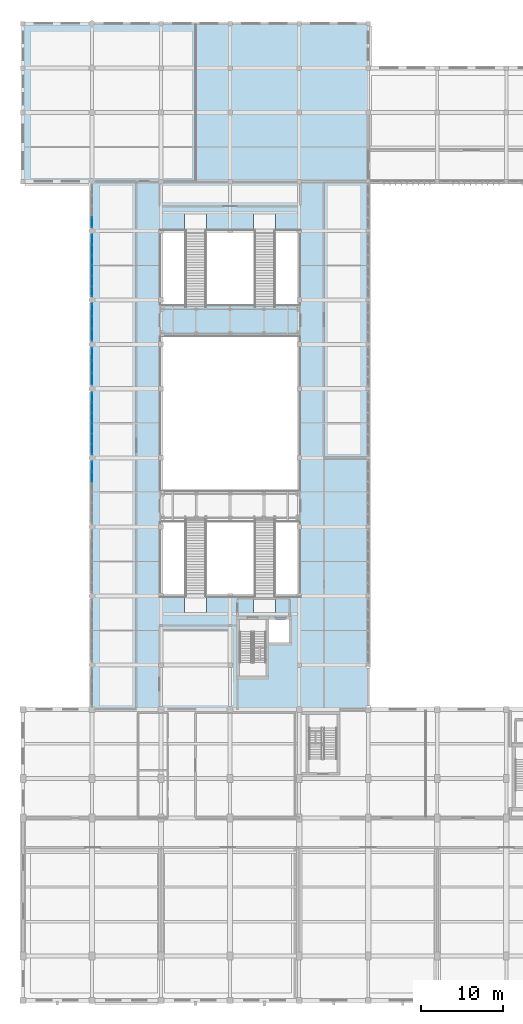
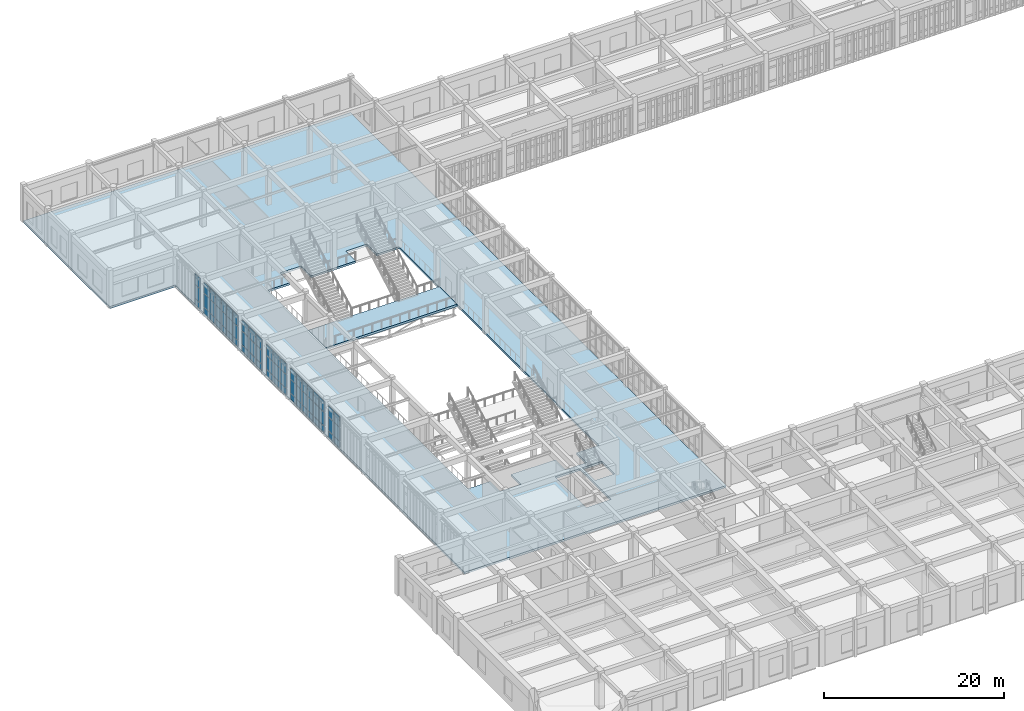
# One storey, part 71 of 106: 63 plates, 2 slabs, 6 elements without a shape of their own.
"""IFC4 building model written with IfcOpenShell, lengths in metres."""

from ifc_helpers import new_model, si_unit, direction, frame, origin, origin_2d, place, context, subcontext, project, spatial, polyline, rectangle, outline, extrude, material, layer, layer_set, type_object, element, aggregate, save


model = new_model("IFC4")

# Units and contexts
model_context = context("Model", 3, precision=1e-05, world=origin(), true_north=direction((0.0, 1.0)))
body_context = subcontext(model_context, "Body", "Model", "MODEL_VIEW")
ifc_project = project(units=[si_unit("LENGTHUNIT", "METRE"), si_unit("AREAUNIT", "SQUARE_METRE"), si_unit("VOLUMEUNIT", "CUBIC_METRE"), si_unit("PLANEANGLEUNIT", "RADIAN"), si_unit("MASSUNIT", "GRAM", prefix="KILO")], contexts=[model_context])

# Site, building, storey
site_placement = place(None, origin())
site = spatial("IfcSite", under=ifc_project, at=site_placement, CompositionType="ELEMENT")
building_placement = place(site_placement, origin())
building = spatial("IfcBuilding", under=site, at=building_placement, Name="Krzemoval Escarpment Law Courts", CompositionType="ELEMENT")
storey_placement = place(building_placement, frame((0.0, 0.0, 5.10009765625)))
storey = spatial("IfcBuildingStorey", under=building, at=storey_placement, Name="L01", CompositionType="ELEMENT", Elevation=5.10009765625)

# Curtain wall, plates
ifc_material_1 = material(Name="Aluminium 6063-T6", Category="aluminium")
ifc_layer_1 = layer(ifc_material_1, 0.280029296875)
ifc_layer_set_1 = layer_set([ifc_layer_1], Name="Aluminium 6063-T6")
curtain_wall_type = type_object("IfcCurtainWallType", Name="CW-HALL-5100", PredefinedType="USERDEFINED", material=ifc_layer_set_1)
curtain_wall_1_placement = place(storey_placement, origin())
curtain_wall_1 = element("IfcCurtainWall", 1, at=curtain_wall_1_placement, inside=storey, type_object=curtain_wall_type, Name="Unitised Curtain Wall FCW-L01-025", ObjectType="UNITISED_CURTAIN_WALL", PredefinedType="USERDEFINED")
ifc_material_2 = material(Name="Triple Glazing IGU", Category="glass")
ifc_layer_2 = layer(ifc_material_2, 0.053955078125)
ifc_layer_set_2 = layer_set([ifc_layer_2], Name="Triple Glazing IGU")
plate_type = type_object("IfcPlateType", Name="CWP-GLZ-54", PredefinedType="CURTAIN_PANEL", material=ifc_layer_set_2)
plate_1_placement = place(storey_placement, frame((8.39990234375, 63.71240234375, 0.0849609375), z_axis=(0.0, 0.0, 1.0), x_axis=(0.0, 1.0, 0.0)))
plate_1 = element("IfcPlate", 2, at=plate_1_placement, type_object=plate_type, Name="FCW-L01-025 panel 5.1", PredefinedType="CURTAIN_PANEL", context=body_context, shape_type="SweptSolid", body=[
    extrude(rectangle(XDim=1.18994140625, YDim=0.053955078125, at=origin_2d()), origin(), (0.0, 0.0, 1.0), 0.7724609375),
])
plate_2_placement = place(storey_placement, frame((8.39990234375, 63.71240234375, 0.9423828125), z_axis=(0.0, 0.0, 1.0), x_axis=(0.0, 1.0, 0.0)))
plate_2 = element("IfcPlate", 3, at=plate_2_placement, type_object=plate_type, Name="FCW-L01-025 panel 5.2", PredefinedType="CURTAIN_PANEL", context=body_context, shape_type="SweptSolid", body=[
    extrude(rectangle(XDim=1.18994140625, YDim=0.053955078125, at=origin_2d()), origin(), (0.0, 0.0, 1.0), 1.81494140625),
])
plate_3_placement = place(storey_placement, frame((8.39990234375, 63.71240234375, 2.842529296875), z_axis=(0.0, 0.0, 1.0), x_axis=(0.0, 1.0, 0.0)))
plate_3 = element("IfcPlate", 4, at=plate_3_placement, type_object=plate_type, Name="FCW-L01-025 panel 5.3", PredefinedType="CURTAIN_PANEL", context=body_context, shape_type="SweptSolid", body=[
    extrude(rectangle(XDim=1.18994140625, YDim=0.053955078125, at=origin_2d()), origin(), (0.0, 0.0, 1.0), 1.4423828125),
])
plate_4_placement = place(storey_placement, frame((8.39990234375, 64.96630859375, 0.0849609375), z_axis=(0.0, 0.0, 1.0), x_axis=(0.0, 1.0, 0.0)))
plate_4 = element("IfcPlate", 5, at=plate_4_placement, type_object=plate_type, Name="FCW-L01-025 panel 6.1", PredefinedType="CURTAIN_PANEL", context=body_context, shape_type="SweptSolid", body=[
    extrude(rectangle(XDim=1.1474609375, YDim=0.053955078125, at=origin_2d()), origin(), (0.0, 0.0, 1.0), 0.7724609375),
])
plate_5_placement = place(storey_placement, frame((8.39990234375, 64.96630859375, 0.9423828125), z_axis=(0.0, 0.0, 1.0), x_axis=(0.0, 1.0, 0.0)))
plate_5 = element("IfcPlate", 6, at=plate_5_placement, type_object=plate_type, Name="FCW-L01-025 panel 6.2", PredefinedType="CURTAIN_PANEL", context=body_context, shape_type="SweptSolid", body=[
    extrude(rectangle(XDim=1.1474609375, YDim=0.053955078125, at=origin_2d()), origin(), (0.0, 0.0, 1.0), 1.81494140625),
])
plate_6_placement = place(storey_placement, frame((8.39990234375, 64.96630859375, 2.842529296875), z_axis=(0.0, 0.0, 1.0), x_axis=(0.0, 1.0, 0.0)))
plate_6 = element("IfcPlate", 7, at=plate_6_placement, type_object=plate_type, Name="FCW-L01-025 panel 6.3", PredefinedType="CURTAIN_PANEL", context=body_context, shape_type="SweptSolid", body=[
    extrude(rectangle(XDim=1.1474609375, YDim=0.053955078125, at=origin_2d()), origin(), (0.0, 0.0, 1.0), 1.4423828125),
])
aggregate(curtain_wall_1, [plate_1, plate_2, plate_3, plate_4, plate_5, plate_6])

curtain_wall_2_placement = place(storey_placement, origin())
curtain_wall_2 = element("IfcCurtainWall", 8, at=curtain_wall_2_placement, inside=storey, type_object=curtain_wall_type, Name="Unitised Curtain Wall FCW-L01-026", ObjectType="UNITISED_CURTAIN_WALL", PredefinedType="USERDEFINED")
plate_7_placement = place(storey_placement, frame((8.39990234375, 67.03369140625, 0.0849609375), z_axis=(0.0, 0.0, 1.0), x_axis=(0.0, 1.0, 0.0)))
plate_7 = element("IfcPlate", 9, at=plate_7_placement, type_object=plate_type, Name="FCW-L01-026 panel 1.1", PredefinedType="CURTAIN_PANEL", context=body_context, shape_type="SweptSolid", body=[
    extrude(rectangle(XDim=1.1474609375, YDim=0.053955078125, at=origin_2d()), origin(), (0.0, 0.0, 1.0), 0.7724609375),
])
plate_8_placement = place(storey_placement, frame((8.39990234375, 67.03369140625, 0.9423828125), z_axis=(0.0, 0.0, 1.0), x_axis=(0.0, 1.0, 0.0)))
plate_8 = element("IfcPlate", 10, at=plate_8_placement, type_object=plate_type, Name="FCW-L01-026 panel 1.2", PredefinedType="CURTAIN_PANEL", context=body_context, shape_type="SweptSolid", body=[
    extrude(rectangle(XDim=1.1474609375, YDim=0.053955078125, at=origin_2d()), origin(), (0.0, 0.0, 1.0), 1.81494140625),
])
plate_9_placement = place(storey_placement, frame((8.39990234375, 67.03369140625, 2.842529296875), z_axis=(0.0, 0.0, 1.0), x_axis=(0.0, 1.0, 0.0)))
plate_9 = element("IfcPlate", 11, at=plate_9_placement, type_object=plate_type, Name="FCW-L01-026 panel 1.3", PredefinedType="CURTAIN_PANEL", context=body_context, shape_type="SweptSolid", body=[
    extrude(rectangle(XDim=1.1474609375, YDim=0.053955078125, at=origin_2d()), origin(), (0.0, 0.0, 1.0), 1.4423828125),
])
plate_10_placement = place(storey_placement, frame((8.39990234375, 68.28759765625, 0.0849609375), z_axis=(0.0, 0.0, 1.0), x_axis=(0.0, 1.0, 0.0)))
plate_10 = element("IfcPlate", 12, at=plate_10_placement, type_object=plate_type, Name="FCW-L01-026 panel 2.1", PredefinedType="CURTAIN_PANEL", context=body_context, shape_type="SweptSolid", body=[
    extrude(rectangle(XDim=1.18994140625, YDim=0.053955078125, at=origin_2d()), origin(), (0.0, 0.0, 1.0), 0.7724609375),
])
plate_11_placement = place(storey_placement, frame((8.39990234375, 68.28759765625, 0.9423828125), z_axis=(0.0, 0.0, 1.0), x_axis=(0.0, 1.0, 0.0)))
plate_11 = element("IfcPlate", 13, at=plate_11_placement, type_object=plate_type, Name="FCW-L01-026 panel 2.2", PredefinedType="CURTAIN_PANEL", context=body_context, shape_type="SweptSolid", body=[
    extrude(rectangle(XDim=1.18994140625, YDim=0.053955078125, at=origin_2d()), origin(), (0.0, 0.0, 1.0), 1.81494140625),
])
plate_12_placement = place(storey_placement, frame((8.39990234375, 68.28759765625, 2.842529296875), z_axis=(0.0, 0.0, 1.0), x_axis=(0.0, 1.0, 0.0)))
plate_12 = element("IfcPlate", 14, at=plate_12_placement, type_object=plate_type, Name="FCW-L01-026 panel 2.3", PredefinedType="CURTAIN_PANEL", context=body_context, shape_type="SweptSolid", body=[
    extrude(rectangle(XDim=1.18994140625, YDim=0.053955078125, at=origin_2d()), origin(), (0.0, 0.0, 1.0), 1.4423828125),
])
plate_13_placement = place(storey_placement, frame((8.39990234375, 69.5625, 0.0849609375), z_axis=(0.0, 0.0, 1.0), x_axis=(0.0, 1.0, 0.0)))
plate_13 = element("IfcPlate", 15, at=plate_13_placement, type_object=plate_type, Name="FCW-L01-026 panel 3.1", PredefinedType="CURTAIN_PANEL", context=body_context, shape_type="SweptSolid", body=[
    extrude(rectangle(XDim=1.18994140625, YDim=0.053955078125, at=origin_2d()), origin(), (0.0, 0.0, 1.0), 0.7724609375),
])
plate_14_placement = place(storey_placement, frame((8.39990234375, 69.5625, 0.9423828125), z_axis=(0.0, 0.0, 1.0), x_axis=(0.0, 1.0, 0.0)))
plate_14 = element("IfcPlate", 16, at=plate_14_placement, type_object=plate_type, Name="FCW-L01-026 panel 3.2", PredefinedType="CURTAIN_PANEL", context=body_context, shape_type="SweptSolid", body=[
    extrude(rectangle(XDim=1.18994140625, YDim=0.053955078125, at=origin_2d()), origin(), (0.0, 0.0, 1.0), 1.81494140625),
])
plate_15_placement = place(storey_placement, frame((8.39990234375, 69.5625, 2.842529296875), z_axis=(0.0, 0.0, 1.0), x_axis=(0.0, 1.0, 0.0)))
plate_15 = element("IfcPlate", 17, at=plate_15_placement, type_object=plate_type, Name="FCW-L01-026 panel 3.3", PredefinedType="CURTAIN_PANEL", context=body_context, shape_type="SweptSolid", body=[
    extrude(rectangle(XDim=1.18994140625, YDim=0.053955078125, at=origin_2d()), origin(), (0.0, 0.0, 1.0), 1.4423828125),
])
plate_16_placement = place(storey_placement, frame((8.39990234375, 70.83740234375, 0.0849609375), z_axis=(0.0, 0.0, 1.0), x_axis=(0.0, 1.0, 0.0)))
plate_16 = element("IfcPlate", 18, at=plate_16_placement, type_object=plate_type, Name="FCW-L01-026 panel 4.1", PredefinedType="CURTAIN_PANEL", context=body_context, shape_type="SweptSolid", body=[
    extrude(rectangle(XDim=1.18994140625, YDim=0.053955078125, at=origin_2d()), origin(), (0.0, 0.0, 1.0), 0.7724609375),
])
plate_17_placement = place(storey_placement, frame((8.39990234375, 70.83740234375, 0.9423828125), z_axis=(0.0, 0.0, 1.0), x_axis=(0.0, 1.0, 0.0)))
plate_17 = element("IfcPlate", 19, at=plate_17_placement, type_object=plate_type, Name="FCW-L01-026 panel 4.2", PredefinedType="CURTAIN_PANEL", context=body_context, shape_type="SweptSolid", body=[
    extrude(rectangle(XDim=1.18994140625, YDim=0.053955078125, at=origin_2d()), origin(), (0.0, 0.0, 1.0), 1.81494140625),
])
plate_18_placement = place(storey_placement, frame((8.39990234375, 70.83740234375, 2.842529296875), z_axis=(0.0, 0.0, 1.0), x_axis=(0.0, 1.0, 0.0)))
plate_18 = element("IfcPlate", 20, at=plate_18_placement, type_object=plate_type, Name="FCW-L01-026 panel 4.3", PredefinedType="CURTAIN_PANEL", context=body_context, shape_type="SweptSolid", body=[
    extrude(rectangle(XDim=1.18994140625, YDim=0.053955078125, at=origin_2d()), origin(), (0.0, 0.0, 1.0), 1.4423828125),
])
plate_19_placement = place(storey_placement, frame((8.39990234375, 72.112548828125, 0.0849609375), z_axis=(0.0, 0.0, 1.0), x_axis=(0.0, 1.0, 0.0)))
plate_19 = element("IfcPlate", 21, at=plate_19_placement, type_object=plate_type, Name="FCW-L01-026 panel 5.1", PredefinedType="CURTAIN_PANEL", context=body_context, shape_type="SweptSolid", body=[
    extrude(rectangle(XDim=1.18994140625, YDim=0.053955078125, at=origin_2d()), origin(), (0.0, 0.0, 1.0), 0.7724609375),
])
plate_20_placement = place(storey_placement, frame((8.39990234375, 72.112548828125, 0.9423828125), z_axis=(0.0, 0.0, 1.0), x_axis=(0.0, 1.0, 0.0)))
plate_20 = element("IfcPlate", 22, at=plate_20_placement, type_object=plate_type, Name="FCW-L01-026 panel 5.2", PredefinedType="CURTAIN_PANEL", context=body_context, shape_type="SweptSolid", body=[
    extrude(rectangle(XDim=1.18994140625, YDim=0.053955078125, at=origin_2d()), origin(), (0.0, 0.0, 1.0), 1.81494140625),
])
plate_21_placement = place(storey_placement, frame((8.39990234375, 72.112548828125, 2.842529296875), z_axis=(0.0, 0.0, 1.0), x_axis=(0.0, 1.0, 0.0)))
plate_21 = element("IfcPlate", 23, at=plate_21_placement, type_object=plate_type, Name="FCW-L01-026 panel 5.3", PredefinedType="CURTAIN_PANEL", context=body_context, shape_type="SweptSolid", body=[
    extrude(rectangle(XDim=1.18994140625, YDim=0.053955078125, at=origin_2d()), origin(), (0.0, 0.0, 1.0), 1.4423828125),
])
plate_22_placement = place(storey_placement, frame((8.39990234375, 73.3662109375, 0.0849609375), z_axis=(0.0, 0.0, 1.0), x_axis=(0.0, 1.0, 0.0)))
plate_22 = element("IfcPlate", 24, at=plate_22_placement, type_object=plate_type, Name="FCW-L01-026 panel 6.1", PredefinedType="CURTAIN_PANEL", context=body_context, shape_type="SweptSolid", body=[
    extrude(rectangle(XDim=1.1474609375, YDim=0.053955078125, at=origin_2d()), origin(), (0.0, 0.0, 1.0), 0.7724609375),
])
plate_23_placement = place(storey_placement, frame((8.39990234375, 73.3662109375, 0.9423828125), z_axis=(0.0, 0.0, 1.0), x_axis=(0.0, 1.0, 0.0)))
plate_23 = element("IfcPlate", 25, at=plate_23_placement, type_object=plate_type, Name="FCW-L01-026 panel 6.2", PredefinedType="CURTAIN_PANEL", context=body_context, shape_type="SweptSolid", body=[
    extrude(rectangle(XDim=1.1474609375, YDim=0.053955078125, at=origin_2d()), origin(), (0.0, 0.0, 1.0), 1.81494140625),
])
plate_24_placement = place(storey_placement, frame((8.39990234375, 73.3662109375, 2.842529296875), z_axis=(0.0, 0.0, 1.0), x_axis=(0.0, 1.0, 0.0)))
plate_24 = element("IfcPlate", 26, at=plate_24_placement, type_object=plate_type, Name="FCW-L01-026 panel 6.3", PredefinedType="CURTAIN_PANEL", context=body_context, shape_type="SweptSolid", body=[
    extrude(rectangle(XDim=1.1474609375, YDim=0.053955078125, at=origin_2d()), origin(), (0.0, 0.0, 1.0), 1.4423828125),
])
aggregate(curtain_wall_2, [plate_7, plate_8, plate_9, plate_10, plate_11, plate_12, plate_13, plate_14, plate_15, plate_16, plate_17, plate_18, plate_19, plate_20, plate_21, plate_22, plate_23, plate_24])

curtain_wall_3_placement = place(storey_placement, origin())
curtain_wall_3 = element("IfcCurtainWall", 27, at=curtain_wall_3_placement, inside=storey, type_object=curtain_wall_type, Name="Unitised Curtain Wall FCW-L01-027", ObjectType="UNITISED_CURTAIN_WALL", PredefinedType="USERDEFINED")
plate_25_placement = place(storey_placement, frame((8.39990234375, 75.5712890625, 0.0849609375), z_axis=(0.0, 0.0, 1.0), x_axis=(0.0, 1.0, 0.0)))
plate_25 = element("IfcPlate", 28, at=plate_25_placement, type_object=plate_type, Name="FCW-L01-027 panel 1.1", PredefinedType="CURTAIN_PANEL", context=body_context, shape_type="SweptSolid", body=[
    extrude(rectangle(XDim=1.422607421875, YDim=0.053955078125, at=origin_2d()), origin(), (0.0, 0.0, 1.0), 0.7724609375),
])
plate_26_placement = place(storey_placement, frame((8.39990234375, 75.5712890625, 0.9423828125), z_axis=(0.0, 0.0, 1.0), x_axis=(0.0, 1.0, 0.0)))
plate_26 = element("IfcPlate", 29, at=plate_26_placement, type_object=plate_type, Name="FCW-L01-027 panel 1.2", PredefinedType="CURTAIN_PANEL", context=body_context, shape_type="SweptSolid", body=[
    extrude(rectangle(XDim=1.422607421875, YDim=0.053955078125, at=origin_2d()), origin(), (0.0, 0.0, 1.0), 1.81494140625),
])
plate_27_placement = place(storey_placement, frame((8.39990234375, 75.5712890625, 2.842529296875), z_axis=(0.0, 0.0, 1.0), x_axis=(0.0, 1.0, 0.0)))
plate_27 = element("IfcPlate", 30, at=plate_27_placement, type_object=plate_type, Name="FCW-L01-027 panel 1.3", PredefinedType="CURTAIN_PANEL", context=body_context, shape_type="SweptSolid", body=[
    extrude(rectangle(XDim=1.422607421875, YDim=0.053955078125, at=origin_2d()), origin(), (0.0, 0.0, 1.0), 1.4423828125),
])
plate_28_placement = place(storey_placement, frame((8.39990234375, 77.10009765625, 0.0849609375), z_axis=(0.0, 0.0, 1.0), x_axis=(0.0, 1.0, 0.0)))
plate_28 = element("IfcPlate", 31, at=plate_28_placement, type_object=plate_type, Name="FCW-L01-027 panel 2.1", PredefinedType="CURTAIN_PANEL", context=body_context, shape_type="SweptSolid", body=[
    extrude(rectangle(XDim=1.465087890625, YDim=0.053955078125, at=origin_2d()), origin(), (0.0, 0.0, 1.0), 0.7724609375),
])
plate_29_placement = place(storey_placement, frame((8.39990234375, 77.10009765625, 0.9423828125), z_axis=(0.0, 0.0, 1.0), x_axis=(0.0, 1.0, 0.0)))
plate_29 = element("IfcPlate", 32, at=plate_29_placement, type_object=plate_type, Name="FCW-L01-027 panel 2.2", PredefinedType="CURTAIN_PANEL", context=body_context, shape_type="SweptSolid", body=[
    extrude(rectangle(XDim=1.465087890625, YDim=0.053955078125, at=origin_2d()), origin(), (0.0, 0.0, 1.0), 1.81494140625),
])
plate_30_placement = place(storey_placement, frame((8.39990234375, 77.10009765625, 2.842529296875), z_axis=(0.0, 0.0, 1.0), x_axis=(0.0, 1.0, 0.0)))
plate_30 = element("IfcPlate", 33, at=plate_30_placement, type_object=plate_type, Name="FCW-L01-027 panel 2.3", PredefinedType="CURTAIN_PANEL", context=body_context, shape_type="SweptSolid", body=[
    extrude(rectangle(XDim=1.465087890625, YDim=0.053955078125, at=origin_2d()), origin(), (0.0, 0.0, 1.0), 1.4423828125),
])
plate_31_placement = place(storey_placement, frame((8.39990234375, 78.628662109375, 0.0849609375), z_axis=(0.0, 0.0, 1.0), x_axis=(0.0, 1.0, 0.0)))
plate_31 = element("IfcPlate", 34, at=plate_31_placement, type_object=plate_type, Name="FCW-L01-027 panel 3.1", PredefinedType="CURTAIN_PANEL", context=body_context, shape_type="SweptSolid", body=[
    extrude(rectangle(XDim=1.422607421875, YDim=0.053955078125, at=origin_2d()), origin(), (0.0, 0.0, 1.0), 0.7724609375),
])
plate_32_placement = place(storey_placement, frame((8.39990234375, 78.628662109375, 0.9423828125), z_axis=(0.0, 0.0, 1.0), x_axis=(0.0, 1.0, 0.0)))
plate_32 = element("IfcPlate", 35, at=plate_32_placement, type_object=plate_type, Name="FCW-L01-027 panel 3.2", PredefinedType="CURTAIN_PANEL", context=body_context, shape_type="SweptSolid", body=[
    extrude(rectangle(XDim=1.422607421875, YDim=0.053955078125, at=origin_2d()), origin(), (0.0, 0.0, 1.0), 1.81494140625),
])
plate_33_placement = place(storey_placement, frame((8.39990234375, 78.628662109375, 2.842529296875), z_axis=(0.0, 0.0, 1.0), x_axis=(0.0, 1.0, 0.0)))
plate_33 = element("IfcPlate", 36, at=plate_33_placement, type_object=plate_type, Name="FCW-L01-027 panel 3.3", PredefinedType="CURTAIN_PANEL", context=body_context, shape_type="SweptSolid", body=[
    extrude(rectangle(XDim=1.422607421875, YDim=0.053955078125, at=origin_2d()), origin(), (0.0, 0.0, 1.0), 1.4423828125),
])
aggregate(curtain_wall_3, [plate_25, plate_26, plate_27, plate_28, plate_29, plate_30, plate_31, plate_32, plate_33])

curtain_wall_4_placement = place(storey_placement, origin())
curtain_wall_4 = element("IfcCurtainWall", 37, at=curtain_wall_4_placement, inside=storey, type_object=curtain_wall_type, Name="Unitised Curtain Wall FCW-L01-028", ObjectType="UNITISED_CURTAIN_WALL", PredefinedType="USERDEFINED")
plate_34_placement = place(storey_placement, frame((8.39990234375, 80.97119140625, 0.0849609375), z_axis=(0.0, 0.0, 1.0), x_axis=(0.0, 1.0, 0.0)))
plate_34 = element("IfcPlate", 38, at=plate_34_placement, type_object=plate_type, Name="FCW-L01-028 panel 1.1", PredefinedType="CURTAIN_PANEL", context=body_context, shape_type="SweptSolid", body=[
    extrude(rectangle(XDim=1.422607421875, YDim=0.053955078125, at=origin_2d()), origin(), (0.0, 0.0, 1.0), 0.7724609375),
])
plate_35_placement = place(storey_placement, frame((8.39990234375, 80.97119140625, 0.9423828125), z_axis=(0.0, 0.0, 1.0), x_axis=(0.0, 1.0, 0.0)))
plate_35 = element("IfcPlate", 39, at=plate_35_placement, type_object=plate_type, Name="FCW-L01-028 panel 1.2", PredefinedType="CURTAIN_PANEL", context=body_context, shape_type="SweptSolid", body=[
    extrude(rectangle(XDim=1.422607421875, YDim=0.053955078125, at=origin_2d()), origin(), (0.0, 0.0, 1.0), 1.81494140625),
])
plate_36_placement = place(storey_placement, frame((8.39990234375, 80.97119140625, 2.842529296875), z_axis=(0.0, 0.0, 1.0), x_axis=(0.0, 1.0, 0.0)))
plate_36 = element("IfcPlate", 40, at=plate_36_placement, type_object=plate_type, Name="FCW-L01-028 panel 1.3", PredefinedType="CURTAIN_PANEL", context=body_context, shape_type="SweptSolid", body=[
    extrude(rectangle(XDim=1.422607421875, YDim=0.053955078125, at=origin_2d()), origin(), (0.0, 0.0, 1.0), 1.4423828125),
])
plate_37_placement = place(storey_placement, frame((8.39990234375, 82.5, 0.0849609375), z_axis=(0.0, 0.0, 1.0), x_axis=(0.0, 1.0, 0.0)))
plate_37 = element("IfcPlate", 41, at=plate_37_placement, type_object=plate_type, Name="FCW-L01-028 panel 2.1", PredefinedType="CURTAIN_PANEL", context=body_context, shape_type="SweptSolid", body=[
    extrude(rectangle(XDim=1.465087890625, YDim=0.053955078125, at=origin_2d()), origin(), (0.0, 0.0, 1.0), 0.7724609375),
])
plate_38_placement = place(storey_placement, frame((8.39990234375, 82.5, 0.9423828125), z_axis=(0.0, 0.0, 1.0), x_axis=(0.0, 1.0, 0.0)))
plate_38 = element("IfcPlate", 42, at=plate_38_placement, type_object=plate_type, Name="FCW-L01-028 panel 2.2", PredefinedType="CURTAIN_PANEL", context=body_context, shape_type="SweptSolid", body=[
    extrude(rectangle(XDim=1.465087890625, YDim=0.053955078125, at=origin_2d()), origin(), (0.0, 0.0, 1.0), 1.81494140625),
])
plate_39_placement = place(storey_placement, frame((8.39990234375, 82.5, 2.842529296875), z_axis=(0.0, 0.0, 1.0), x_axis=(0.0, 1.0, 0.0)))
plate_39 = element("IfcPlate", 43, at=plate_39_placement, type_object=plate_type, Name="FCW-L01-028 panel 2.3", PredefinedType="CURTAIN_PANEL", context=body_context, shape_type="SweptSolid", body=[
    extrude(rectangle(XDim=1.465087890625, YDim=0.053955078125, at=origin_2d()), origin(), (0.0, 0.0, 1.0), 1.4423828125),
])
plate_40_placement = place(storey_placement, frame((8.39990234375, 84.02880859375, 0.0849609375), z_axis=(0.0, 0.0, 1.0), x_axis=(0.0, 1.0, 0.0)))
plate_40 = element("IfcPlate", 44, at=plate_40_placement, type_object=plate_type, Name="FCW-L01-028 panel 3.1", PredefinedType="CURTAIN_PANEL", context=body_context, shape_type="SweptSolid", body=[
    extrude(rectangle(XDim=1.422607421875, YDim=0.053955078125, at=origin_2d()), origin(), (0.0, 0.0, 1.0), 0.7724609375),
])
plate_41_placement = place(storey_placement, frame((8.39990234375, 84.02880859375, 0.9423828125), z_axis=(0.0, 0.0, 1.0), x_axis=(0.0, 1.0, 0.0)))
plate_41 = element("IfcPlate", 45, at=plate_41_placement, type_object=plate_type, Name="FCW-L01-028 panel 3.2", PredefinedType="CURTAIN_PANEL", context=body_context, shape_type="SweptSolid", body=[
    extrude(rectangle(XDim=1.422607421875, YDim=0.053955078125, at=origin_2d()), origin(), (0.0, 0.0, 1.0), 1.81494140625),
])
plate_42_placement = place(storey_placement, frame((8.39990234375, 84.02880859375, 2.842529296875), z_axis=(0.0, 0.0, 1.0), x_axis=(0.0, 1.0, 0.0)))
plate_42 = element("IfcPlate", 46, at=plate_42_placement, type_object=plate_type, Name="FCW-L01-028 panel 3.3", PredefinedType="CURTAIN_PANEL", context=body_context, shape_type="SweptSolid", body=[
    extrude(rectangle(XDim=1.422607421875, YDim=0.053955078125, at=origin_2d()), origin(), (0.0, 0.0, 1.0), 1.4423828125),
])
aggregate(curtain_wall_4, [plate_34, plate_35, plate_36, plate_37, plate_38, plate_39, plate_40, plate_41, plate_42])

curtain_wall_5_placement = place(storey_placement, origin())
curtain_wall_5 = element("IfcCurtainWall", 47, at=curtain_wall_5_placement, inside=storey, type_object=curtain_wall_type, Name="Unitised Curtain Wall FCW-L01-029", ObjectType="UNITISED_CURTAIN_WALL", PredefinedType="USERDEFINED")
plate_43_placement = place(storey_placement, frame((8.39990234375, 86.233642578125, 0.0849609375), z_axis=(0.0, 0.0, 1.0), x_axis=(0.0, 1.0, 0.0)))
plate_43 = element("IfcPlate", 48, at=plate_43_placement, type_object=plate_type, Name="FCW-L01-029 panel 1.1", PredefinedType="CURTAIN_PANEL", context=body_context, shape_type="SweptSolid", body=[
    extrude(rectangle(XDim=1.1474609375, YDim=0.053955078125, at=origin_2d()), origin(), (0.0, 0.0, 1.0), 0.7724609375),
])
plate_44_placement = place(storey_placement, frame((8.39990234375, 86.233642578125, 0.9423828125), z_axis=(0.0, 0.0, 1.0), x_axis=(0.0, 1.0, 0.0)))
plate_44 = element("IfcPlate", 49, at=plate_44_placement, type_object=plate_type, Name="FCW-L01-029 panel 1.2", PredefinedType="CURTAIN_PANEL", context=body_context, shape_type="SweptSolid", body=[
    extrude(rectangle(XDim=1.1474609375, YDim=0.053955078125, at=origin_2d()), origin(), (0.0, 0.0, 1.0), 1.81494140625),
])
plate_45_placement = place(storey_placement, frame((8.39990234375, 86.233642578125, 2.842529296875), z_axis=(0.0, 0.0, 1.0), x_axis=(0.0, 1.0, 0.0)))
plate_45 = element("IfcPlate", 50, at=plate_45_placement, type_object=plate_type, Name="FCW-L01-029 panel 1.3", PredefinedType="CURTAIN_PANEL", context=body_context, shape_type="SweptSolid", body=[
    extrude(rectangle(XDim=1.1474609375, YDim=0.053955078125, at=origin_2d()), origin(), (0.0, 0.0, 1.0), 1.4423828125),
])
plate_46_placement = place(storey_placement, frame((8.39990234375, 87.487548828125, 0.0849609375), z_axis=(0.0, 0.0, 1.0), x_axis=(0.0, 1.0, 0.0)))
plate_46 = element("IfcPlate", 51, at=plate_46_placement, type_object=plate_type, Name="FCW-L01-029 panel 2.1", PredefinedType="CURTAIN_PANEL", context=body_context, shape_type="SweptSolid", body=[
    extrude(rectangle(XDim=1.18994140625, YDim=0.053955078125, at=origin_2d()), origin(), (0.0, 0.0, 1.0), 0.7724609375),
])
plate_47_placement = place(storey_placement, frame((8.39990234375, 87.487548828125, 0.9423828125), z_axis=(0.0, 0.0, 1.0), x_axis=(0.0, 1.0, 0.0)))
plate_47 = element("IfcPlate", 52, at=plate_47_placement, type_object=plate_type, Name="FCW-L01-029 panel 2.2", PredefinedType="CURTAIN_PANEL", context=body_context, shape_type="SweptSolid", body=[
    extrude(rectangle(XDim=1.18994140625, YDim=0.053955078125, at=origin_2d()), origin(), (0.0, 0.0, 1.0), 1.81494140625),
])
plate_48_placement = place(storey_placement, frame((8.39990234375, 87.487548828125, 2.842529296875), z_axis=(0.0, 0.0, 1.0), x_axis=(0.0, 1.0, 0.0)))
plate_48 = element("IfcPlate", 53, at=plate_48_placement, type_object=plate_type, Name="FCW-L01-029 panel 2.3", PredefinedType="CURTAIN_PANEL", context=body_context, shape_type="SweptSolid", body=[
    extrude(rectangle(XDim=1.18994140625, YDim=0.053955078125, at=origin_2d()), origin(), (0.0, 0.0, 1.0), 1.4423828125),
])
plate_49_placement = place(storey_placement, frame((8.39990234375, 88.762451171875, 0.0849609375), z_axis=(0.0, 0.0, 1.0), x_axis=(0.0, 1.0, 0.0)))
plate_49 = element("IfcPlate", 54, at=plate_49_placement, type_object=plate_type, Name="FCW-L01-029 panel 3.1", PredefinedType="CURTAIN_PANEL", context=body_context, shape_type="SweptSolid", body=[
    extrude(rectangle(XDim=1.18994140625, YDim=0.053955078125, at=origin_2d()), origin(), (0.0, 0.0, 1.0), 0.7724609375),
])
plate_50_placement = place(storey_placement, frame((8.39990234375, 88.762451171875, 0.9423828125), z_axis=(0.0, 0.0, 1.0), x_axis=(0.0, 1.0, 0.0)))
plate_50 = element("IfcPlate", 55, at=plate_50_placement, type_object=plate_type, Name="FCW-L01-029 panel 3.2", PredefinedType="CURTAIN_PANEL", context=body_context, shape_type="SweptSolid", body=[
    extrude(rectangle(XDim=1.18994140625, YDim=0.053955078125, at=origin_2d()), origin(), (0.0, 0.0, 1.0), 1.81494140625),
])
plate_51_placement = place(storey_placement, frame((8.39990234375, 88.762451171875, 2.842529296875), z_axis=(0.0, 0.0, 1.0), x_axis=(0.0, 1.0, 0.0)))
plate_51 = element("IfcPlate", 56, at=plate_51_placement, type_object=plate_type, Name="FCW-L01-029 panel 3.3", PredefinedType="CURTAIN_PANEL", context=body_context, shape_type="SweptSolid", body=[
    extrude(rectangle(XDim=1.18994140625, YDim=0.053955078125, at=origin_2d()), origin(), (0.0, 0.0, 1.0), 1.4423828125),
])
plate_52_placement = place(storey_placement, frame((8.39990234375, 90.03759765625, 0.0849609375), z_axis=(0.0, 0.0, 1.0), x_axis=(0.0, 1.0, 0.0)))
plate_52 = element("IfcPlate", 57, at=plate_52_placement, type_object=plate_type, Name="FCW-L01-029 panel 4.1", PredefinedType="CURTAIN_PANEL", context=body_context, shape_type="SweptSolid", body=[
    extrude(rectangle(XDim=1.18994140625, YDim=0.053955078125, at=origin_2d()), origin(), (0.0, 0.0, 1.0), 0.7724609375),
])
plate_53_placement = place(storey_placement, frame((8.39990234375, 90.03759765625, 0.9423828125), z_axis=(0.0, 0.0, 1.0), x_axis=(0.0, 1.0, 0.0)))
plate_53 = element("IfcPlate", 58, at=plate_53_placement, type_object=plate_type, Name="FCW-L01-029 panel 4.2", PredefinedType="CURTAIN_PANEL", context=body_context, shape_type="SweptSolid", body=[
    extrude(rectangle(XDim=1.18994140625, YDim=0.053955078125, at=origin_2d()), origin(), (0.0, 0.0, 1.0), 1.81494140625),
])
plate_54_placement = place(storey_placement, frame((8.39990234375, 90.03759765625, 2.842529296875), z_axis=(0.0, 0.0, 1.0), x_axis=(0.0, 1.0, 0.0)))
plate_54 = element("IfcPlate", 59, at=plate_54_placement, type_object=plate_type, Name="FCW-L01-029 panel 4.3", PredefinedType="CURTAIN_PANEL", context=body_context, shape_type="SweptSolid", body=[
    extrude(rectangle(XDim=1.18994140625, YDim=0.053955078125, at=origin_2d()), origin(), (0.0, 0.0, 1.0), 1.4423828125),
])
plate_55_placement = place(storey_placement, frame((8.39990234375, 91.3125, 0.0849609375), z_axis=(0.0, 0.0, 1.0), x_axis=(0.0, 1.0, 0.0)))
plate_55 = element("IfcPlate", 60, at=plate_55_placement, type_object=plate_type, Name="FCW-L01-029 panel 5.1", PredefinedType="CURTAIN_PANEL", context=body_context, shape_type="SweptSolid", body=[
    extrude(rectangle(XDim=1.18994140625, YDim=0.053955078125, at=origin_2d()), origin(), (0.0, 0.0, 1.0), 0.7724609375),
])
plate_56_placement = place(storey_placement, frame((8.39990234375, 91.3125, 0.9423828125), z_axis=(0.0, 0.0, 1.0), x_axis=(0.0, 1.0, 0.0)))
plate_56 = element("IfcPlate", 61, at=plate_56_placement, type_object=plate_type, Name="FCW-L01-029 panel 5.2", PredefinedType="CURTAIN_PANEL", context=body_context, shape_type="SweptSolid", body=[
    extrude(rectangle(XDim=1.18994140625, YDim=0.053955078125, at=origin_2d()), origin(), (0.0, 0.0, 1.0), 1.81494140625),
])
plate_57_placement = place(storey_placement, frame((8.39990234375, 91.3125, 2.842529296875), z_axis=(0.0, 0.0, 1.0), x_axis=(0.0, 1.0, 0.0)))
plate_57 = element("IfcPlate", 62, at=plate_57_placement, type_object=plate_type, Name="FCW-L01-029 panel 5.3", PredefinedType="CURTAIN_PANEL", context=body_context, shape_type="SweptSolid", body=[
    extrude(rectangle(XDim=1.18994140625, YDim=0.053955078125, at=origin_2d()), origin(), (0.0, 0.0, 1.0), 1.4423828125),
])
plate_58_placement = place(storey_placement, frame((8.39990234375, 92.566162109375, 0.0849609375), z_axis=(0.0, 0.0, 1.0), x_axis=(0.0, 1.0, 0.0)))
plate_58 = element("IfcPlate", 63, at=plate_58_placement, type_object=plate_type, Name="FCW-L01-029 panel 6.1", PredefinedType="CURTAIN_PANEL", context=body_context, shape_type="SweptSolid", body=[
    extrude(rectangle(XDim=1.1474609375, YDim=0.053955078125, at=origin_2d()), origin(), (0.0, 0.0, 1.0), 0.7724609375),
])
plate_59_placement = place(storey_placement, frame((8.39990234375, 92.566162109375, 0.9423828125), z_axis=(0.0, 0.0, 1.0), x_axis=(0.0, 1.0, 0.0)))
plate_59 = element("IfcPlate", 64, at=plate_59_placement, type_object=plate_type, Name="FCW-L01-029 panel 6.2", PredefinedType="CURTAIN_PANEL", context=body_context, shape_type="SweptSolid", body=[
    extrude(rectangle(XDim=1.1474609375, YDim=0.053955078125, at=origin_2d()), origin(), (0.0, 0.0, 1.0), 1.81494140625),
])
plate_60_placement = place(storey_placement, frame((8.39990234375, 92.566162109375, 2.842529296875), z_axis=(0.0, 0.0, 1.0), x_axis=(0.0, 1.0, 0.0)))
plate_60 = element("IfcPlate", 65, at=plate_60_placement, type_object=plate_type, Name="FCW-L01-029 panel 6.3", PredefinedType="CURTAIN_PANEL", context=body_context, shape_type="SweptSolid", body=[
    extrude(rectangle(XDim=1.1474609375, YDim=0.053955078125, at=origin_2d()), origin(), (0.0, 0.0, 1.0), 1.4423828125),
])
aggregate(curtain_wall_5, [plate_43, plate_44, plate_45, plate_46, plate_47, plate_48, plate_49, plate_50, plate_51, plate_52, plate_53, plate_54, plate_55, plate_56, plate_57, plate_58, plate_59, plate_60])

curtain_wall_6_placement = place(storey_placement, origin())
curtain_wall_6 = element("IfcCurtainWall", 66, at=curtain_wall_6_placement, inside=storey, type_object=curtain_wall_type, Name="Unitised Curtain Wall FCW-L01-030", ObjectType="UNITISED_CURTAIN_WALL", PredefinedType="USERDEFINED")
plate_61_placement = place(storey_placement, frame((8.39990234375, 94.652587890625, 0.0849609375), z_axis=(0.0, 0.0, 1.0), x_axis=(0.0, 1.0, 0.0)))
plate_61 = element("IfcPlate", 67, at=plate_61_placement, type_object=plate_type, Name="FCW-L01-030 panel 1.1", PredefinedType="CURTAIN_PANEL", context=body_context, shape_type="SweptSolid", body=[
    extrude(rectangle(XDim=1.18505859375, YDim=0.053955078125, at=origin_2d()), origin(), (0.0, 0.0, 1.0), 0.7724609375),
])
plate_62_placement = place(storey_placement, frame((8.39990234375, 94.652587890625, 0.9423828125), z_axis=(0.0, 0.0, 1.0), x_axis=(0.0, 1.0, 0.0)))
plate_62 = element("IfcPlate", 68, at=plate_62_placement, type_object=plate_type, Name="FCW-L01-030 panel 1.2", PredefinedType="CURTAIN_PANEL", context=body_context, shape_type="SweptSolid", body=[
    extrude(rectangle(XDim=1.18505859375, YDim=0.053955078125, at=origin_2d()), origin(), (0.0, 0.0, 1.0), 1.81494140625),
])
plate_63_placement = place(storey_placement, frame((8.39990234375, 94.652587890625, 2.842529296875), z_axis=(0.0, 0.0, 1.0), x_axis=(0.0, 1.0, 0.0)))
plate_63 = element("IfcPlate", 69, at=plate_63_placement, type_object=plate_type, Name="FCW-L01-030 panel 1.3", PredefinedType="CURTAIN_PANEL", context=body_context, shape_type="SweptSolid", body=[
    extrude(rectangle(XDim=1.18505859375, YDim=0.053955078125, at=origin_2d()), origin(), (0.0, 0.0, 1.0), 1.4423828125),
])
aggregate(curtain_wall_6, [plate_61, plate_62, plate_63])

# Slabs
ifc_material_3 = material(Name="Concrete C40/50", Category="concrete")
ifc_layer_3 = layer(ifc_material_3, 0.300048828125)
ifc_layer_set_3 = layer_set([ifc_layer_3], Name="Concrete C40/50")
slab_type_1 = type_object("IfcSlabType", Name="SL-FLR-300", PredefinedType="FLOOR", material=ifc_layer_set_3)
slab_1_placement = place(storey_placement, frame((0.0, 0.0, -0.300048828125)))
element("IfcSlab", 70, at=slab_1_placement, inside=storey, type_object=slab_type_1, Name="Atrium Bridge Deck BRG-N-L01", PredefinedType="FLOOR", context=body_context, shape_type="SweptSolid", body=[
    extrude(outline(polyline([(33.60009765625, 80.719970703125), (33.60009765625, 84.64990234375), (16.800048828125, 84.64990234375), (16.800048828125, 80.719970703125), (33.60009765625, 80.719970703125)])), origin(), (0.0, 0.0, 1.0), 0.300048828125),
])
ifc_material_4 = material(Name="Concrete C50/60", Category="concrete")
ifc_layer_4 = layer(ifc_material_4, 0.280029296875)
ifc_layer_set_4 = layer_set([ifc_layer_4], Name="Concrete C50/60")
slab_type_2 = type_object("IfcSlabType", Name="SL-PT-280", PredefinedType="FLOOR", material=ifc_layer_set_4)
slab_2_placement = place(storey_placement, frame((0.0, 0.0, -0.280029296875)))
element("IfcSlab", 71, at=slab_2_placement, inside=storey, type_object=slab_type_2, Name="Floor Slab SL-L01-V4-022", PredefinedType="FLOOR", context=body_context, shape_type="SweptSolid", body=[
    extrude(outline(polyline([(8.39990234375, 99.60009765625), (0.0, 99.60009765625), (0.0, 118.800048828125), (41.9599609375, 118.800048828125), (41.9599609375, 35.39990234375), (8.39990234375, 35.39990234375), (8.39990234375, 99.60009765625)]), holes=[polyline([(22.35009765625, 49.199951171875), (28.050048828125, 49.199951171875), (28.050048828125, 47.0), (30.75, 47.0), (30.75, 49.199951171875), (33.60009765625, 49.199951171875), (33.60009765625, 93.60009765625), (30.75, 93.60009765625), (30.75, 95.800048828125), (28.050048828125, 95.800048828125), (28.050048828125, 93.60009765625), (22.35009765625, 93.60009765625), (22.35009765625, 95.800048828125), (19.64990234375, 95.800048828125), (19.64990234375, 93.60009765625), (16.800048828125, 93.60009765625), (16.800048828125, 49.199951171875), (19.64990234375, 49.199951171875), (19.64990234375, 47.0), (22.35009765625, 47.0), (22.35009765625, 49.199951171875)]), polyline([(29.85009765625, 46.35009765625), (29.85009765625, 43.550048828125), (32.35009765625, 43.550048828125), (32.35009765625, 46.35009765625), (29.85009765625, 46.35009765625)]), polyline([(29.550048828125, 46.35009765625), (26.35009765625, 46.35009765625), (26.35009765625, 39.449951171875), (29.550048828125, 39.449951171875), (29.550048828125, 46.35009765625)])]), origin(), (0.0, 0.0, 1.0), 0.280029296875),
])

save(model, "model.ifc")
